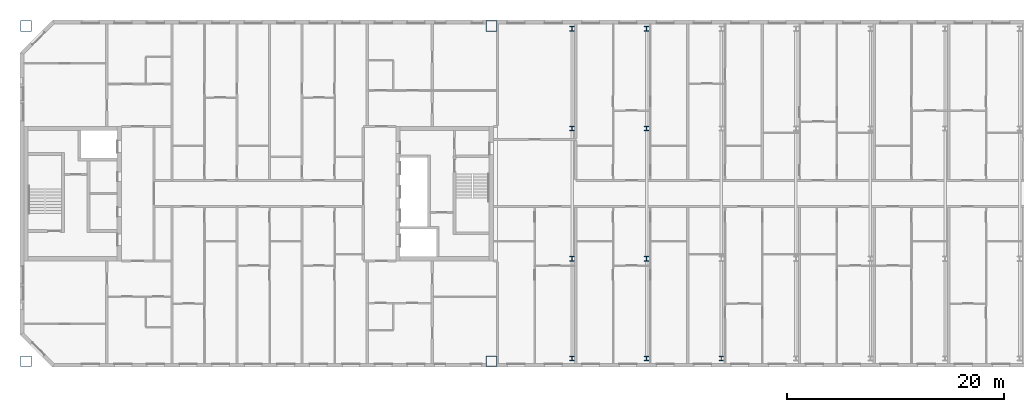
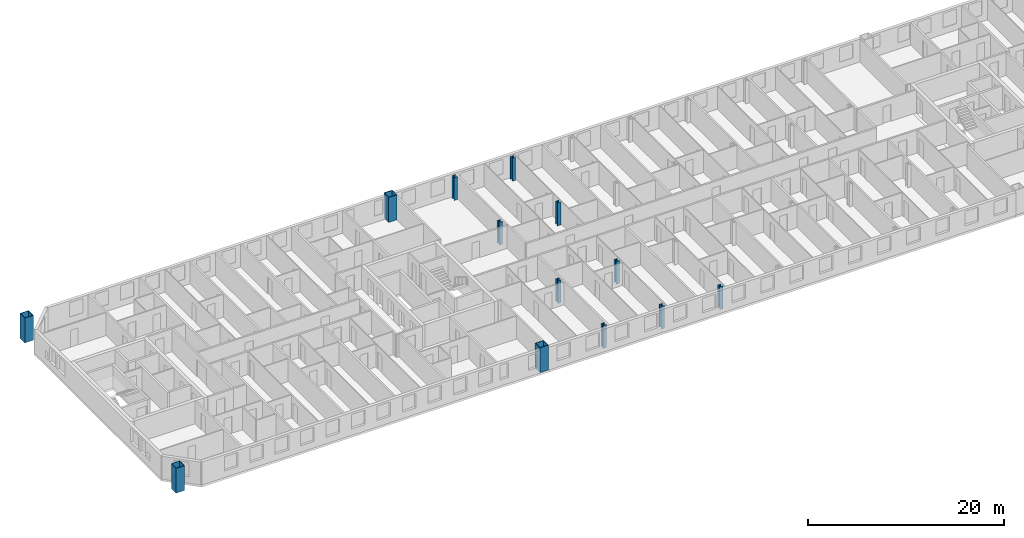
# One storey, part 1 of 19: 13 columns.
"""IFC4 building model written with IfcOpenShell, lengths in metres."""

from ifc_helpers import new_model, si_unit, direction, frame, origin, origin_2d, place, context, subcontext, project, spatial, hollow_rectangle, i_section, extrude, material, material_profile, profile_set, type_object, element, save


model = new_model("IFC4")

# Units and contexts
model_context = context("Model", 3, precision=1e-05, world=origin(), true_north=direction((0.0, 1.0)))
body_context = subcontext(model_context, "Body", "Model", "MODEL_VIEW")
ifc_project = project(units=[si_unit("LENGTHUNIT", "METRE"), si_unit("AREAUNIT", "SQUARE_METRE"), si_unit("VOLUMEUNIT", "CUBIC_METRE"), si_unit("PLANEANGLEUNIT", "RADIAN"), si_unit("MASSUNIT", "GRAM", prefix="KILO")], contexts=[model_context])

# Site, building, storey
site_placement = place(None, origin())
site = spatial("IfcSite", under=ifc_project, at=site_placement, CompositionType="ELEMENT")
building_placement = place(site_placement, origin())
building = spatial("IfcBuilding", under=site, at=building_placement, Name="Tuart Gate Housing", CompositionType="ELEMENT")
storey_placement = place(building_placement, frame((0.0, 0.0, 205.89990234375)))
storey = spatial("IfcBuildingStorey", under=building, at=storey_placement, Name="L58", CompositionType="ELEMENT", Elevation=205.89990234375)

# Columns
ifc_material_1 = material(Name="Steel Grade 350", Category="steel")
ifc_material_profile_1 = material_profile(ifc_material_1, i_section(OverallWidth=0.39990234375, OverallDepth=0.429931640625, WebThickness=0.0400390625, FlangeThickness=0.0400390625, at=origin_2d()), Name="400WC361")
ifc_profile_set_1 = profile_set([ifc_material_profile_1], Name="Steel Grade 350")
column_type_1 = type_object("IfcColumnType", Name="Link column 400 WC361", PredefinedType="COLUMN", material=ifc_profile_set_1)
for number, where, z_axis, x_axis, name in (
    (1, (82.875, 54.800048828125, 0.0), (0.0, 0.0, 1.0), (1.0, 0.0, 0.0), "Link column line 1 point 1 L58"),
    (2, (89.75, 54.800048828125, 0.0), (0.0, 0.0, 1.0), (1.0, 0.0, 0.0), "Link column line 1 point 2 L58"),
    (3, (96.625, 54.800048828125, 0.0), (0.0, 0.0, 1.0), (1.0, 0.0, 0.0), "Link column line 1 point 3 L58"),
    (4, (82.875, 64.0, 0.0), (0.0, 0.0, 1.0), (1.0, 0.0, 0.0), "Link column line 2 point 1 L58"),
    (5, (89.75, 64.0, 0.0), (0.0, 0.0, 1.0), (1.0, 0.0, 0.0), "Link column line 2 point 2 L58"),
    (6, (82.875, 76.0, 0.0), (0.0, 0.0, 1.0), (1.0, 0.0, 0.0), "Link column line 3 point 1 L58"),
    (7, (89.75, 76.0, 0.0), (0.0, 0.0, 1.0), (1.0, 0.0, 0.0), "Link column line 3 point 2 L58"),
    (8, (82.875, 85.199951171875, 0.0), (0.0, 0.0, 1.0), (1.0, 0.0, 0.0), "Link column line 4 point 1 L58"),
    (9, (89.75, 85.199951171875, 0.0), (0.0, 0.0, 1.0), (1.0, 0.0, 0.0), "Link column line 4 point 2 L58"),
):
    element("IfcColumn", number, at=place(storey_placement, frame(where, z_axis=z_axis, x_axis=x_axis)), inside=storey, type_object=column_type_1, Name=name, PredefinedType="COLUMN", context=body_context, shape_type="SweptSolid", body=[
        extrude(i_section(OverallWidth=0.39990234375, OverallDepth=0.429931640625, WebThickness=0.0400390625, FlangeThickness=0.0400390625, at=origin_2d()), origin(), (0.0, 0.0, 1.0), 2.85009765625),
    ])
ifc_material_2 = material(Name="Steel Grade 350", Category="steel")
ifc_material_profile_2 = material_profile(ifc_material_2, hollow_rectangle(XDim=1.0, YDim=1.0, WallThickness=0.054931640625, at=origin_2d()), Name="BOX 1000x1000x55")
ifc_profile_set_2 = profile_set([ifc_material_profile_2], Name="Steel Grade 350")
column_type_2 = type_object("IfcColumnType", Name="Mega column BOX 1000x1000x55", PredefinedType="COLUMN", material=ifc_profile_set_2)
for number, where, z_axis, x_axis, name in (
    (10, (32.550048828125, 54.550048828125, 0.0), (0.0, 0.0, 1.0), (1.0, 0.0, 0.0), "Mega column A south-west L58"),
    (11, (75.449951171875, 54.550048828125, 0.0), (0.0, 0.0, 1.0), (1.0, 0.0, 0.0), "Mega column A south-east L58"),
    (12, (75.449951171875, 85.449951171875, 0.0), (0.0, 0.0, 1.0), (1.0, 0.0, 0.0), "Mega column A north-east L58"),
    (13, (32.550048828125, 85.449951171875, 0.0), (0.0, 0.0, 1.0), (1.0, 0.0, 0.0), "Mega column A north-west L58"),
):
    element("IfcColumn", number, at=place(storey_placement, frame(where, z_axis=z_axis, x_axis=x_axis)), inside=storey, type_object=column_type_2, Name=name, PredefinedType="COLUMN", context=body_context, shape_type="SweptSolid", body=[
        extrude(hollow_rectangle(XDim=1.0, YDim=1.0, WallThickness=0.054931640625, at=origin_2d()), origin(), (0.0, 0.0, 1.0), 3.10009765625),
    ])

save(model, "model.ifc")
